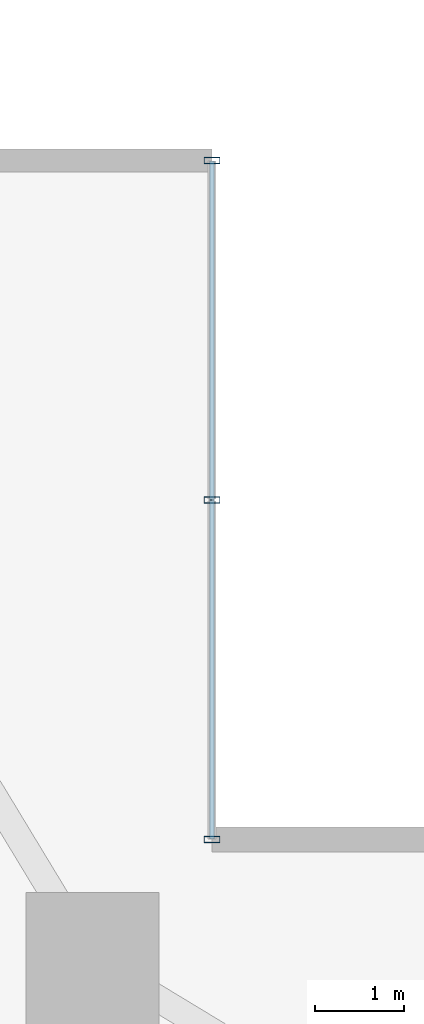
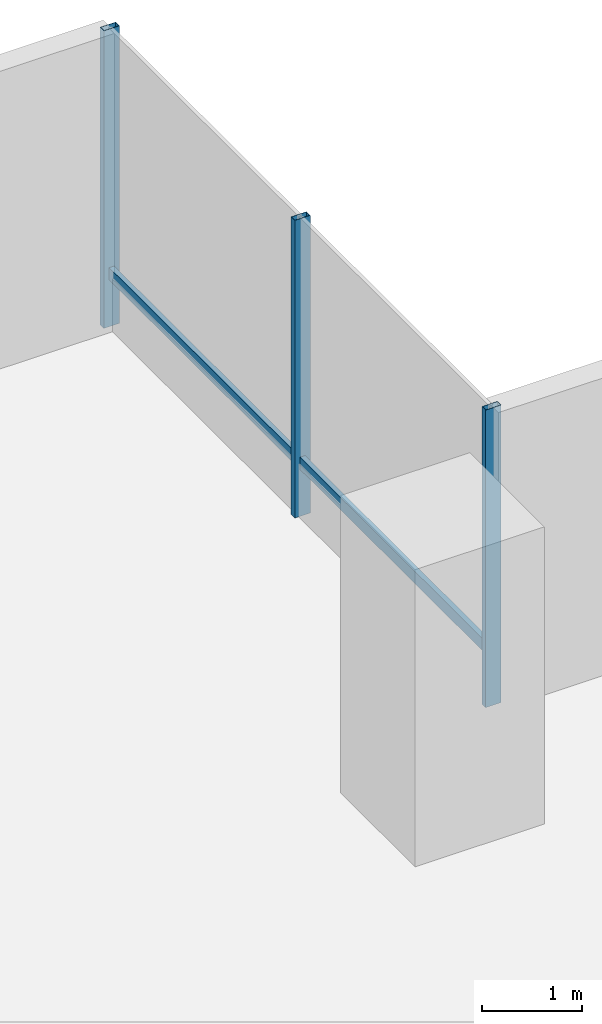
# One storey, part 22 of 30: 5 members, 1 element without a shape of its own.
"""IFC4 building model written with IfcOpenShell, lengths in metres."""

import ifcopenshell
import ifcopenshell.guid

model = None  # the IFC model being written
_history = None  # IfcOwnerHistory: only IFC2X3 demands one
_inside = {}  # id of a spatial element -> (the spatial element, [elements in it])
_under = {}  # id of a project, library or spatial element -> (it, [spatial elements below it])
_declared = {}  # id of a project -> (the project, [libraries it declares])
_typed = {}  # id of a type object -> (the type object, [elements of that type])
_made_of = {}  # id of a material, layer set ... -> (it, [elements and type objects made of it])


def new_model(schema):
    """Start an empty IFC model of exactly this schema.

    Asked for "IFC4X3", IfcOpenShell would pick the latest addendum, in which some entities
    have other attributes; the version numbers below select the first issue.
    IFC2X3 requires an IfcOwnerHistory on every rooted entity: one is made here for all.
    """
    global model, _history
    if schema == "IFC4X3":
        model = ifcopenshell.file(schema_version=(4, 3, 0, 0))
    else:
        model = ifcopenshell.file(schema=schema)
    _inside.clear()
    _under.clear()
    _declared.clear()
    _typed.clear()
    _made_of.clear()
    _history = None
    if model.schema == "IFC2X3":
        org = make("IfcOrganization", Name="unknown")
        user = make(
            "IfcPersonAndOrganization",
            ThePerson=make("IfcPerson", FamilyName="unknown"),
            TheOrganization=org,
        )
        app = make(
            "IfcApplication",
            ApplicationDeveloper=org,
            Version="unknown",
            ApplicationFullName="unknown",
            ApplicationIdentifier="unknown",
        )
        _history = make(
            "IfcOwnerHistory",
            OwningUser=user,
            OwningApplication=app,
            ChangeAction="ADDED",
            CreationDate=0,
        )
    return model


def make(cls, **values):
    """One entity of the class cls with the attributes given. An attribute that is None is left unset."""
    return model.create_entity(
        cls, **{name: value for name, value in values.items() if value is not None}
    )


def rooted(cls, **values):
    """An entity with a GlobalId (a new one), such as an element, a storey or a relation."""
    return make(cls, GlobalId=ifcopenshell.guid.new(), OwnerHistory=_history, **values)


def si_unit(unit_type, name, prefix=None):
    """IfcSIUnit, for example si_unit("LENGTHUNIT", "METRE", prefix="MILLI")."""
    return make("IfcSIUnit", UnitType=unit_type, Prefix=prefix, Name=name)


def assignment(units):
    """IfcUnitAssignment: the units of a project."""
    return None if units is None else make("IfcUnitAssignment", Units=units)


def point(xyz):
    """IfcCartesianPoint."""
    return None if xyz is None else make("IfcCartesianPoint", Coordinates=xyz)


def direction(xyz):
    """IfcDirection."""
    return None if xyz is None else make("IfcDirection", DirectionRatios=xyz)


def frame(location, z_axis=None, x_axis=None):
    """IfcAxis2Placement3D, a coordinate frame: its origin and axes. An axis left out is left unset."""
    return make(
        "IfcAxis2Placement3D",
        Location=point(location),
        Axis=direction(z_axis),
        RefDirection=direction(x_axis),
    )


def frame_2d(location, x_axis=None):
    """IfcAxis2Placement2D, a coordinate frame in the plane: its origin and x axis."""
    return make(
        "IfcAxis2Placement2D", Location=point(location), RefDirection=direction(x_axis)
    )


def origin():
    """The frame at (0, 0, 0) with its axes left unset."""
    return frame((0.0, 0.0, 0.0))


def origin_2d():
    """The frame at (0, 0) in the plane with its x axis left unset."""
    return frame_2d((0.0, 0.0))


def place(relative_to, where):
    """IfcLocalPlacement: puts the frame where relative to a parent placement (None: the world)."""
    return make(
        "IfcLocalPlacement", PlacementRelTo=relative_to, RelativePlacement=where
    )


def context(
    kind, dimensions, precision=None, world=None, true_north=None, identifier=None
):
    """IfcGeometricRepresentationContext, for example the 3D "Model" context."""
    return make(
        "IfcGeometricRepresentationContext",
        ContextIdentifier=identifier,
        ContextType=kind,
        CoordinateSpaceDimension=dimensions,
        Precision=precision,
        WorldCoordinateSystem=world,
        TrueNorth=true_north,
    )


def subcontext(parent, identifier, kind, view, scale=None):
    """IfcGeometricRepresentationSubContext, for example "Body" below "Model"."""
    return make(
        "IfcGeometricRepresentationSubContext",
        ContextIdentifier=identifier,
        ContextType=kind,
        ParentContext=parent,
        TargetScale=scale,
        TargetView=view,
    )


def project(units=None, contexts=None):
    """IfcProject with its units and contexts."""
    return rooted(
        "IfcProject",
        Name="project",
        RepresentationContexts=contexts,
        UnitsInContext=assignment(units),
    )


def spatial(cls, under=None, at=None, **own):
    """A site, building, storey or space (cls), placed at a placement, below another one or the project."""
    s = rooted(cls, ObjectPlacement=at, **own)
    if under is not None:
        _under.setdefault(under.id(), (under, []))[1].append(s)
    return s


def profile(cls, at=None, kind="AREA", **sizes):
    """A parametric profile (cls). Its sizes go by their IFC names, for example OverallWidth=200.0."""
    return make(cls, ProfileType=kind, Position=at, **sizes)


def hollow_rectangle(**sizes):
    """IfcRectangleHollowProfileDef."""
    return profile("IfcRectangleHollowProfileDef", **sizes)


def extrude(swept, where, along, depth):
    """IfcExtrudedAreaSolid: the profile swept, set in the frame where, extruded along a direction by depth."""
    return make(
        "IfcExtrudedAreaSolid",
        SweptArea=swept,
        Position=where,
        ExtrudedDirection=direction(along),
        Depth=depth,
    )


def shape(context_of_items, identifier, shape_type, items):
    """IfcShapeRepresentation: the items that make up one representation, for example the "Body"."""
    return make(
        "IfcShapeRepresentation",
        ContextOfItems=context_of_items,
        RepresentationIdentifier=identifier,
        RepresentationType=shape_type,
        Items=items,
    )


def material(Name=None, Category=None):
    """IfcMaterial."""
    return make("IfcMaterial", Name=Name, Category=Category)


def layer(
    of_material, thickness, ventilated=None, Name=None, Category=None, Priority=None
):
    """IfcMaterialLayer: one layer of a wall or slab, of a material (None: an air gap)."""
    return make(
        "IfcMaterialLayer",
        Material=of_material,
        LayerThickness=thickness,
        IsVentilated=ventilated,
        Name=Name,
        Category=Category,
        Priority=Priority,
    )


def layer_set(layers, Name=None):
    """IfcMaterialLayerSet."""
    return make("IfcMaterialLayerSet", MaterialLayers=layers, LayerSetName=Name)


def material_profile(
    of_material, cross_section, Name=None, Category=None, Priority=None
):
    """IfcMaterialProfile: a cross section and its material."""
    return make(
        "IfcMaterialProfile",
        Name=Name,
        Material=of_material,
        Profile=cross_section,
        Priority=Priority,
        Category=Category,
    )


def profile_set(profiles, Name=None, composite=None):
    """IfcMaterialProfileSet."""
    return make(
        "IfcMaterialProfileSet",
        Name=Name,
        MaterialProfiles=profiles,
        CompositeProfile=composite,
    )


def made_of(thing, what):
    """Note that an element or type object is made of a material, layer set ...; save() writes the relation."""
    if what is not None:
        _made_of.setdefault(what.id(), (what, []))[1].append(thing)
    return thing


def type_object(cls, material=None, **own):
    """A type object (cls), such as IfcWallType, which elements share."""
    return made_of(rooted(cls, **own), material)


def element(
    cls,
    number,
    at=None,
    inside=None,
    cuts=None,
    type_object=None,
    material=None,
    context=None,
    identifier="Body",
    shape_type=None,
    held_by="IfcProductDefinitionShape",
    body=None,
    shapes=None,
    **own,
):
    """One element of the class cls, such as IfcWall. Its Tag is "e" and its number.

    at: its placement. inside: the storey or other place that contains it. cuts: it is an
    opening in that element (IfcRelVoidsElement). A single representation is given by context,
    identifier, shape_type and body (its items); several are given by shapes. held_by: the class
    of the entity that holds the representations. save() writes the other relations.
    """
    e = rooted(cls, Tag="e%d" % number, ObjectPlacement=at, **own)
    if body is not None:
        shapes = [shape(context, identifier, shape_type, body)]
    if shapes is not None:
        e.Representation = make(held_by, Representations=shapes)
    if inside is not None:
        _inside.setdefault(inside.id(), (inside, []))[1].append(e)
    if cuts is not None:
        rooted(
            "IfcRelVoidsElement", RelatingBuildingElement=cuts, RelatedOpeningElement=e
        )
    if type_object is not None:
        _typed.setdefault(type_object.id(), (type_object, []))[1].append(e)
    return made_of(e, material)


def aggregate(whole, parts):
    """IfcRelAggregates: a whole, such as a stair, and the parts it consists of."""
    return rooted("IfcRelAggregates", RelatingObject=whole, RelatedObjects=parts)


def save(model, path):
    """Write the relations noted so far, then the file.

    IfcRelAggregates (storeys below a building ...), IfcRelContainedInSpatialStructure (elements
    in a storey), IfcRelDefinesByType, IfcRelAssociatesMaterial and IfcRelDeclares: one each for
    every whole, place, type object, material and project.
    """
    for whole, parts in _under.values():
        aggregate(whole, parts)
    for where, things in _inside.values():
        rooted(
            "IfcRelContainedInSpatialStructure",
            RelatedElements=things,
            RelatingStructure=where,
        )
    for kind, things in _typed.values():
        rooted("IfcRelDefinesByType", RelatedObjects=things, RelatingType=kind)
    for what, things in _made_of.values():
        rooted("IfcRelAssociatesMaterial", RelatedObjects=things, RelatingMaterial=what)
    for by, libraries in _declared.values():
        rooted("IfcRelDeclares", RelatingContext=by, RelatedDefinitions=libraries)
    model.write(path)


model = new_model("IFC4")

# Units and contexts
model_context = context("Model", 3, precision=1e-05, world=origin(), true_north=direction((0.0, 1.0)))
body_context = subcontext(model_context, "Body", "Model", "MODEL_VIEW")
ifc_project = project(units=[si_unit("LENGTHUNIT", "METRE"), si_unit("AREAUNIT", "SQUARE_METRE"), si_unit("VOLUMEUNIT", "CUBIC_METRE"), si_unit("PLANEANGLEUNIT", "RADIAN"), si_unit("MASSUNIT", "GRAM", prefix="KILO")], contexts=[model_context])

# Site, building, storey
site_placement = place(None, origin())
site = spatial("IfcSite", under=ifc_project, at=site_placement, CompositionType="ELEMENT")
building_placement = place(site_placement, origin())
building = spatial("IfcBuilding", under=site, at=building_placement, Name="Belovzor Exchange Tower", CompositionType="ELEMENT")
storey_placement = place(building_placement, frame((0.0, 0.0, 30.0)))
storey = spatial("IfcBuildingStorey", under=building, at=storey_placement, Name="L06", CompositionType="ELEMENT", Elevation=30.0)

# Curtain wall, members
ifc_material_1 = material(Name="Anodised Aluminium Framing", Category="aluminium")
ifc_layer = layer(ifc_material_1, 0.195068359375)
ifc_layer_set = layer_set([ifc_layer], Name="Anodised Aluminium Framing")
curtain_wall_type = type_object("IfcCurtainWallType", Name="Notched Re-Entrant Corner Unitised Curtain Wall", PredefinedType="NOTDEFINED", material=ifc_layer_set)
curtain_wall_placement = place(storey_placement, origin())
curtain_wall = element("IfcCurtainWall", 1, at=curtain_wall_placement, inside=storey, type_object=curtain_wall_type, Name="CW5 Notched Re-Entrant Corner Unitised Curtain Wall L06", PredefinedType="NOTDEFINED")
ifc_material_2 = material(Name="Steel S355", Category="steel")
ifc_material_profile_1 = material_profile(ifc_material_2, hollow_rectangle(XDim=0.074951171875, YDim=0.179931640625, WallThickness=0.0048828125, at=origin_2d()))
ifc_profile_set_1 = profile_set([ifc_material_profile_1], Name="Steel S355")
member_type_1 = type_object("IfcMemberType", Name="Thermally Broken Curtain Wall Mullion 180x75", PredefinedType="MULLION", material=ifc_profile_set_1)
member_1_placement = place(storey_placement, frame((48.89990234375, 56.570068359375, 0.0), z_axis=(0.0, 0.0, 1.0), x_axis=(0.0, -1.0, 0.0)))
member_1 = element("IfcMember", 2, at=member_1_placement, type_object=member_type_1, Name="CW-M180 Curtain Wall Mullion 1", PredefinedType="MULLION", context=body_context, shape_type="SweptSolid", body=[
    extrude(hollow_rectangle(XDim=0.074951171875, YDim=0.179931640625, WallThickness=0.0048828125, at=origin_2d()), origin(), (0.0, 0.0, 1.0), 3.64990234375),
])
member_2_placement = place(storey_placement, frame((48.89990234375, 52.735107421875, 0.0), z_axis=(0.0, 0.0, 1.0), x_axis=(0.0, -1.0, 0.0)))
member_2 = element("IfcMember", 3, at=member_2_placement, type_object=member_type_1, Name="CW-M180 Curtain Wall Mullion 2", PredefinedType="MULLION", context=body_context, shape_type="SweptSolid", body=[
    extrude(hollow_rectangle(XDim=0.074951171875, YDim=0.179931640625, WallThickness=0.0048828125, at=origin_2d()), origin(), (0.0, 0.0, 1.0), 3.64990234375),
])
member_3_placement = place(storey_placement, frame((48.89990234375, 48.89990234375, 0.0), z_axis=(0.0, 0.0, 1.0), x_axis=(0.0, -1.0, 0.0)))
member_3 = element("IfcMember", 4, at=member_3_placement, type_object=member_type_1, Name="CW-M180 Curtain Wall Mullion 3", PredefinedType="MULLION", context=body_context, shape_type="SweptSolid", body=[
    extrude(hollow_rectangle(XDim=0.074951171875, YDim=0.179931640625, WallThickness=0.0048828125, at=origin_2d()), origin(), (0.0, 0.0, 1.0), 3.64990234375),
])
ifc_material_3 = material(Name="Steel S355", Category="steel")
ifc_material_profile_2 = material_profile(ifc_material_3, hollow_rectangle(XDim=0.06005859375, YDim=0.14990234375, WallThickness=0.00390625, at=origin_2d()))
ifc_profile_set_2 = profile_set([ifc_material_profile_2], Name="Steel S355")
member_type_2 = type_object("IfcMemberType", Name="Thermally Broken Curtain Wall Transom 150x60", PredefinedType="USERDEFINED", material=ifc_profile_set_2)
member_4_placement = place(storey_placement, frame((48.89990234375, 56.56201171875, 0.64990234375), z_axis=(0.0, -1.0, 0.0), x_axis=(1.0, 0.0, 0.0)))
member_4 = element("IfcMember", 5, at=member_4_placement, type_object=member_type_2, Name="CW-T150 Curtain Wall Transom 1", ObjectType="TRANSOM", PredefinedType="USERDEFINED", context=body_context, shape_type="SweptSolid", body=[
    extrude(hollow_rectangle(XDim=0.06005859375, YDim=0.14990234375, WallThickness=0.00390625, at=origin_2d()), origin(), (0.0, 0.0, 1.0), 3.819091796875),
])
member_5_placement = place(storey_placement, frame((48.89990234375, 52.72705078125, 0.64990234375), z_axis=(0.0, -1.0, 0.0), x_axis=(1.0, 0.0, 0.0)))
member_5 = element("IfcMember", 6, at=member_5_placement, type_object=member_type_2, Name="CW-T150 Curtain Wall Transom 2", ObjectType="TRANSOM", PredefinedType="USERDEFINED", context=body_context, shape_type="SweptSolid", body=[
    extrude(hollow_rectangle(XDim=0.06005859375, YDim=0.14990234375, WallThickness=0.00390625, at=origin_2d()), origin(), (0.0, 0.0, 1.0), 3.819091796875),
])
aggregate(curtain_wall, [member_1, member_2, member_3, member_4, member_5])

save(model, "model.ifc")
